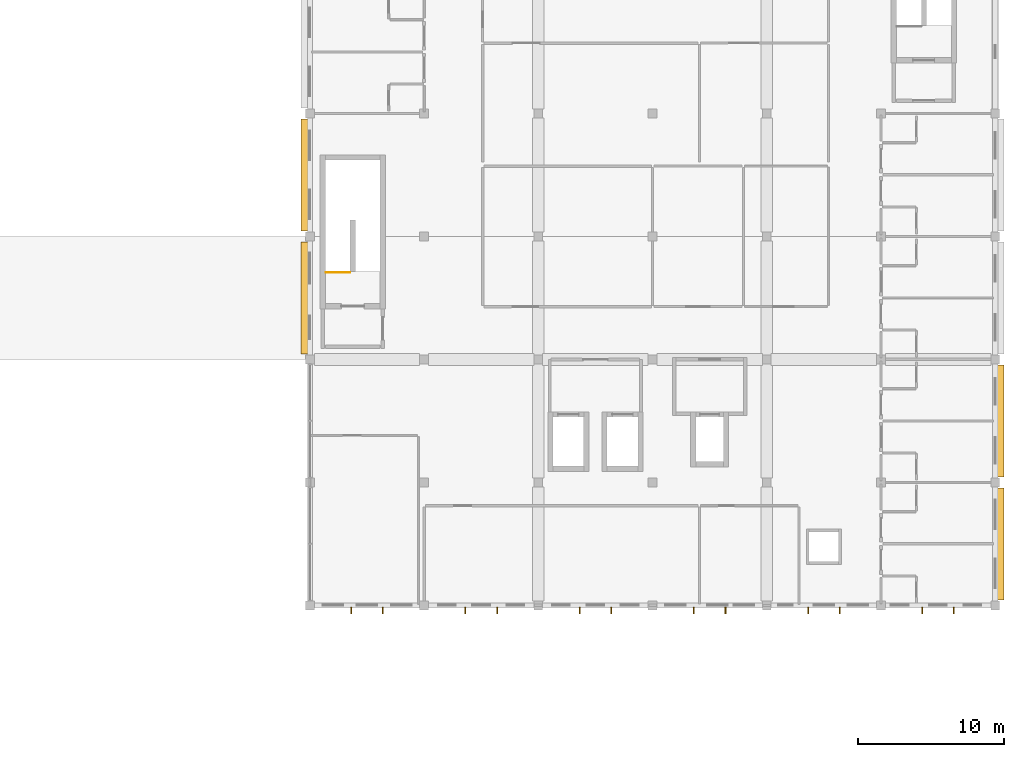
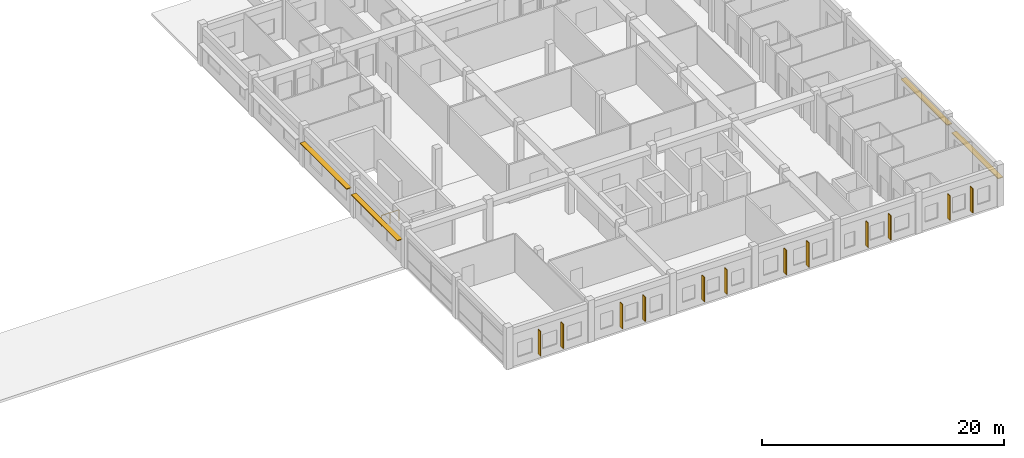
# One storey, part 29 of 32: 16 shading devices, 1 railing.
"""IFC4 building model written with IfcOpenShell, lengths in metres."""

from ifc_helpers import new_model, si_unit, direction, frame, origin, origin_2d, place, context, subcontext, project, spatial, rectangle, circle, extrude, material, layer, layer_set, type_object, element, save


model = new_model("IFC4")

# Units and contexts
model_context = context("Model", 3, precision=1e-05, world=origin(), true_north=direction((0.0, 1.0)))
body_context = subcontext(model_context, "Body", "Model", "MODEL_VIEW")
ifc_project = project(units=[si_unit("LENGTHUNIT", "METRE"), si_unit("AREAUNIT", "SQUARE_METRE"), si_unit("VOLUMEUNIT", "CUBIC_METRE"), si_unit("PLANEANGLEUNIT", "RADIAN"), si_unit("MASSUNIT", "GRAM", prefix="KILO"), si_unit("THERMODYNAMICTEMPERATUREUNIT", "KELVIN"), si_unit("POWERUNIT", "WATT")], contexts=[model_context])

# Site, building, storey
site_placement = place(None, origin())
site = spatial("IfcSite", under=ifc_project, at=site_placement, CompositionType="ELEMENT")
building_placement = place(site_placement, origin())
building = spatial("IfcBuilding", under=site, at=building_placement, Name="Srebrne Nadtorze General Hospital", CompositionType="ELEMENT")
storey_placement = place(building_placement, frame((0.0, 0.0, 29.699951171875)))
storey = spatial("IfcBuildingStorey", under=building, at=storey_placement, Name="L07", CompositionType="ELEMENT", Elevation=29.699951171875)

# Shading devices
ifc_material_1 = material(Name="Anodised Aluminium", Category="aluminium")
ifc_layer_1 = layer(ifc_material_1, 0.080078125)
ifc_layer_set_1 = layer_set([ifc_layer_1], Name="Anodised Aluminium")
shading_device_type_1 = type_object("IfcShadingDeviceType", Name="Hisashi horizontal aluminium sunshade", PredefinedType="JALOUSIE", material=ifc_layer_set_1)
for number, where, z_axis, x_axis, name in (
    (1, (101.0400390625, 54.60009765625, 2.469970703125), (0.0, 0.0, 1.0), (1.0, 0.0, 0.0), "Hisashi horizontal sunshade eave LV-417"),
    (2, (101.0400390625, 63.0, 2.570068359375), (0.0, 0.0, 1.0), (1.0, 0.0, 0.0), "Hisashi horizontal sunshade eave LV-418"),
    (3, (148.56005859375, 37.800048828125, 2.27001953125), (0.0, 0.0, 1.0), (1.0, 0.0, 0.0), "Hisashi horizontal sunshade eave LV-421"),
    (4, (148.56005859375, 46.199951171875, 2.570068359375), (0.0, 0.0, 1.0), (1.0, 0.0, 0.0), "Hisashi horizontal sunshade eave LV-422"),
):
    element("IfcShadingDevice", number, at=place(storey_placement, frame(where, z_axis=z_axis, x_axis=x_axis)), inside=storey, type_object=shading_device_type_1, Name=name, PredefinedType="JALOUSIE", context=body_context, shape_type="SweptSolid", body=[
        extrude(rectangle(XDim=0.47998046875, YDim=7.639892578125, at=origin_2d()), origin(), (0.0, 0.0, 1.0), 0.080078125),
    ])
ifc_material_2 = material(Name="Anodised Aluminium", Category="aluminium")
ifc_layer_2 = layer(ifc_material_2, 0.070068359375)
ifc_layer_set_2 = layer_set([ifc_layer_2], Name="Anodised Aluminium")
shading_device_type_2 = type_object("IfcShadingDeviceType", Name="Koushi vertical brise-soleil fin", PredefinedType="SHUTTER", material=ifc_layer_set_2)
for number, where, z_axis, x_axis, name in (
    (5, (104.219970703125, 33.25, 0.455078125), (0.0, 0.0, 1.0), (1.0, 0.0, 0.0), "Clinic koushi vertical fin LV-395"),
    (6, (106.3798828125, 33.25, 0.455078125), (0.0, 0.0, 1.0), (1.0, 0.0, 0.0), "Clinic koushi vertical fin LV-396"),
    (7, (112.02001953125, 33.25, 0.455078125), (0.0, 0.0, 1.0), (1.0, 0.0, 0.0), "Clinic koushi vertical fin LV-397"),
    (8, (114.179931640625, 33.25, 0.455078125), (0.0, 0.0, 1.0), (1.0, 0.0, 0.0), "Clinic koushi vertical fin LV-398"),
    (9, (119.820068359375, 33.25, 0.455078125), (0.0, 0.0, 1.0), (1.0, 0.0, 0.0), "Clinic koushi vertical fin LV-399"),
    (10, (121.97998046875, 33.25, 0.455078125), (0.0, 0.0, 1.0), (1.0, 0.0, 0.0), "Clinic koushi vertical fin LV-400"),
    (11, (127.6201171875, 33.25, 0.455078125), (0.0, 0.0, 1.0), (1.0, 0.0, 0.0), "Clinic koushi vertical fin LV-401"),
    (12, (129.780029296875, 33.25, 0.455078125), (0.0, 0.0, 1.0), (1.0, 0.0, 0.0), "Clinic koushi vertical fin LV-402"),
    (13, (135.419921875, 33.25, 0.455078125), (0.0, 0.0, 1.0), (1.0, 0.0, 0.0), "Clinic koushi vertical fin LV-403"),
    (14, (137.580078125, 33.25, 0.455078125), (0.0, 0.0, 1.0), (1.0, 0.0, 0.0), "Clinic koushi vertical fin LV-404"),
    (15, (143.219970703125, 33.25, 0.455078125), (0.0, 0.0, 1.0), (1.0, 0.0, 0.0), "Clinic koushi vertical fin LV-405"),
    (16, (145.3798828125, 33.25, 0.455078125), (0.0, 0.0, 1.0), (1.0, 0.0, 0.0), "Clinic koushi vertical fin LV-406"),
):
    element("IfcShadingDevice", number, at=place(storey_placement, frame(where, z_axis=z_axis, x_axis=x_axis)), inside=storey, type_object=shading_device_type_2, Name=name, PredefinedType="SHUTTER", context=body_context, shape_type="SweptSolid", body=[
        extrude(rectangle(XDim=0.070068359375, YDim=0.43994140625, at=origin_2d()), origin(), (0.0, 0.0, 1.0), 2.469970703125),
    ])

# Railing
ifc_material_3 = material(Name="Stainless Steel 316", Category="steel")
railing_type = type_object("IfcRailingType", Name="Stairwell safety guard 1120", PredefinedType="BALUSTRADE", material=ifc_material_3)
railing_placement = place(storey_placement, frame((102.489990234375, 56.340087890625, 0.0)))
element("IfcRailing", 17, at=railing_placement, inside=storey, type_object=railing_type, Name="Top stairwell guard ST-03", PredefinedType="BALUSTRADE", context=body_context, shape_type="SweptSolid", body=[
    extrude(circle(Radius=0.02392578125, at=origin_2d()), frame((0.0, 0.0, 1.09619140625), z_axis=(1.0, 0.0, 0.0), x_axis=(0.0, 1.0, 0.0)), (0.0, 0.0, 1.0), 1.655029296875),
    extrude(circle(Radius=0.02099609375, at=origin_2d()), origin(), (0.0, 0.0, 1.0), 1.072021484375),
    extrude(circle(Radius=0.02099609375, at=origin_2d()), frame((0.82763671875, 0.0, 0.0)), (0.0, 0.0, 1.0), 1.072021484375),
    extrude(circle(Radius=0.02099609375, at=origin_2d()), frame((1.655029296875, 0.0, 0.0)), (0.0, 0.0, 1.0), 1.072021484375),
])

save(model, "model.ifc")
